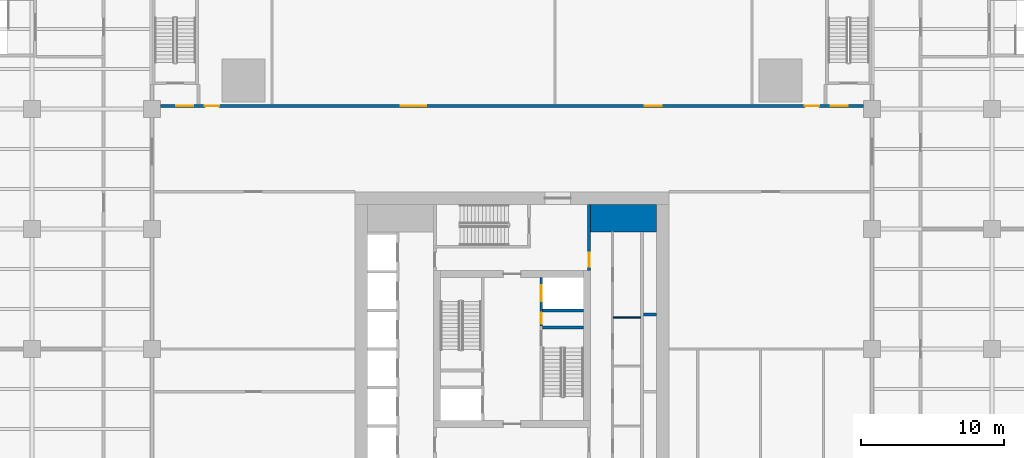
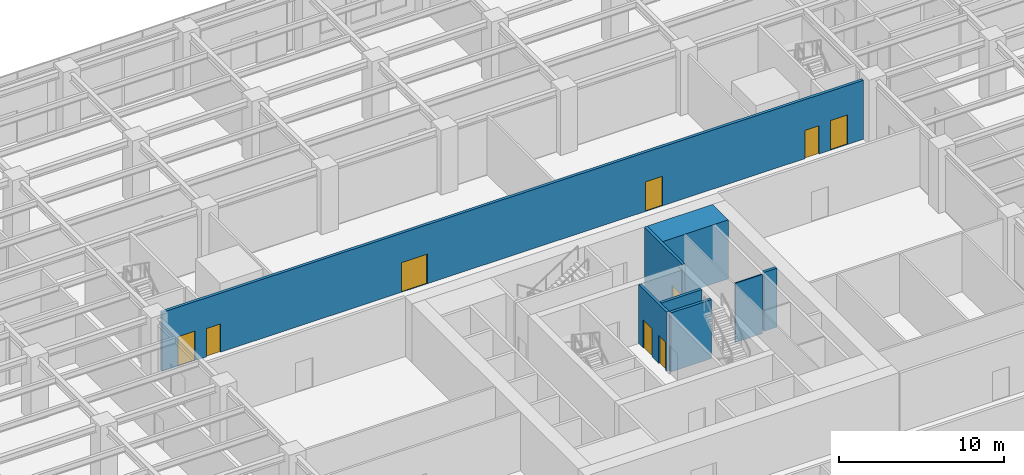
# One storey, part 40 of 53: 9 doors, 8 walls, 9 openings.
"""IFC4 building model written with IfcOpenShell, lengths in metres."""

from ifc_helpers import new_model, si_unit, direction, frame, frame_2d, origin, place, context, subcontext, project, spatial, rectangle, extrude, material, layer, layer_set, type_object, element, fill, save


model = new_model("IFC4")

# Units and contexts
model_context = context("Model", 3, precision=1e-05, world=origin(), true_north=direction((0.0, 1.0)))
body_context = subcontext(model_context, "Body", "Model", "MODEL_VIEW")
ifc_project = project(units=[si_unit("LENGTHUNIT", "METRE"), si_unit("AREAUNIT", "SQUARE_METRE"), si_unit("VOLUMEUNIT", "CUBIC_METRE"), si_unit("PLANEANGLEUNIT", "RADIAN"), si_unit("MASSUNIT", "GRAM", prefix="KILO")], contexts=[model_context])

# Site, building, storey
site_placement = place(None, origin())
site = spatial("IfcSite", under=ifc_project, at=site_placement, CompositionType="ELEMENT")
building_placement = place(site_placement, origin())
building = spatial("IfcBuilding", under=site, at=building_placement, Name="Khepri Terraces", CompositionType="ELEMENT")
storey_placement = place(building_placement, frame((0.0, 0.0, 7.199951171875)))
storey = spatial("IfcBuildingStorey", under=building, at=storey_placement, Name="L01", CompositionType="ELEMENT", Elevation=7.199951171875)

# Walls
ifc_material_1 = material(Name="Concrete C80/95", Category="concrete")
ifc_layer_1 = layer(ifc_material_1, 1.89990234375, Name="Concrete C80/95", Category="concrete")
ifc_layer_set_1 = layer_set([ifc_layer_1], Name="Concrete C80/95")
wall_type_1 = type_object("IfcWallType", Name="Core wall 1900 C80/95", PredefinedType="SHEAR", material=ifc_layer_set_1)
wall_1_placement = place(storey_placement, frame((5.5, 9.14990234375, 0.0), z_axis=(0.0, 0.0, 1.0), x_axis=(1.0, 0.0, 0.0)))
element("IfcWall", 1, at=wall_1_placement, inside=storey, type_object=wall_type_1, Name="Core wall PR04 L01", PredefinedType="SHEAR", context=body_context, shape_type="SweptSolid", body=[
    extrude(rectangle(XDim=4.60009765625, YDim=1.89990234375, at=frame_2d((2.300048828125, 0.0))), origin(), (0.0, 0.0, 1.0), 4.380126953125),
])
ifc_layer_2 = layer(ifc_material_1, 0.199951171875, Name="Concrete C80/95", Category="concrete")
ifc_layer_set_2 = layer_set([ifc_layer_2], Name="Concrete C80/95")
wall_type_2 = type_object("IfcWallType", Name="Core wall 200 C80/95", PredefinedType="SHEAR", material=ifc_layer_set_2)
wall_2_placement = place(storey_placement, frame((2.14990234375, 1.5, 0.0), z_axis=(0.0, 0.0, 1.0), x_axis=(1.0, 0.0, 0.0)))
element("IfcWall", 2, at=wall_2_placement, inside=storey, type_object=wall_type_2, Name="Core wall ST04 L01", PredefinedType="SHEAR", context=body_context, shape_type="SweptSolid", body=[
    extrude(rectangle(XDim=2.85009765625, YDim=0.199951171875, at=frame_2d((1.425048828125, 0.0))), origin(), (0.0, 0.0, 1.0), 4.380126953125),
])

# Wall, openings, doors
wall_3_placement = place(storey_placement, frame((2.050048828125, 1.60009765625, 0.0), z_axis=(0.0, 0.0, 1.0), x_axis=(0.0, 1.0, 0.0)))
wall_3 = element("IfcWall", 3, at=wall_3_placement, inside=storey, type_object=wall_type_2, Name="Core wall SH15 L01", PredefinedType="SHEAR", context=body_context, shape_type="SweptSolid", body=[
    extrude(rectangle(XDim=3.39990234375, YDim=0.199951171875, at=frame_2d((1.699951171875, 0.0))), origin(), (0.0, 0.0, 1.0), 4.380126953125),
])
opening_1_placement = place(wall_3_placement, frame((1.75, 0.0, 0.0)))
opening_1 = element("IfcOpeningElement", 4, at=opening_1_placement, cuts=wall_3, Name="Opening L01-C07", PredefinedType="OPENING", context=body_context, shape_type="SweptSolid", body=[
    extrude(rectangle(XDim=1.10009765625, YDim=2.10009765625, at=frame_2d((0.550048828125, 1.050048828125))), frame((0.0, 0.10986328125, 0.0), z_axis=(0.0, -1.0, 0.0), x_axis=(1.0, 0.0, 0.0)), (0.0, 0.0, 1.0), 0.219970703125),
])
opening_2_placement = place(wall_3_placement, frame((0.14990234375, 0.0, 0.0)))
opening_2 = element("IfcOpeningElement", 5, at=opening_2_placement, cuts=wall_3, Name="Opening L01-C11", PredefinedType="OPENING", context=body_context, shape_type="SweptSolid", body=[
    extrude(rectangle(XDim=0.800048828125, YDim=2.10009765625, at=frame_2d((0.39990234375, 1.050048828125))), frame((0.0, 0.10986328125, 0.0), z_axis=(0.0, -1.0, 0.0), x_axis=(1.0, 0.0, 0.0)), (0.0, 0.0, 1.0), 0.219970703125),
])
ifc_material_2 = material(Name="Stainless steel 304", Category="steel")
door_type_1 = type_object("IfcDoorType", Name="DR-CORE-FF-LANDING-1100", OperationType="NOTDEFINED", PredefinedType="DOOR", material=ifc_material_2)
door_1_placement = place(opening_1_placement, origin())
door_1 = element("IfcDoor", 6, at=door_1_placement, inside=storey, type_object=door_type_1, Name="Firefighting lift landing door L01-C07", OperationType="SLIDING_TO_LEFT", OverallHeight=2.10009765625, OverallWidth=1.10009765625, PredefinedType="DOOR", context=body_context, shape_type="SweptSolid", body=[
    extrude(rectangle(XDim=1.10009765625, YDim=2.10009765625, at=frame_2d((0.550048828125, 1.050048828125))), frame((0.0, 0.02490234375, 0.0), z_axis=(0.0, -1.0, 0.0), x_axis=(1.0, 0.0, 0.0)), (0.0, 0.0, 1.0), 0.050048828125),
])
fill(opening_1, door_1)
ifc_material_3 = material(Name="Painted steel", Category="steel")
door_type_2 = type_object("IfcDoorType", Name="DR-CORE-RISER-800", OperationType="NOTDEFINED", PredefinedType="DOOR", material=ifc_material_3)
door_2_placement = place(opening_2_placement, frame((0.800048828125, 0.0, 0.0), z_axis=(0.0, 0.0, 1.0), x_axis=(-1.0, 0.0, 0.0)))
door_2 = element("IfcDoor", 7, at=door_2_placement, inside=storey, type_object=door_type_2, Name="Riser door L01-C11", OperationType="SINGLE_SWING_RIGHT", OverallHeight=2.10009765625, OverallWidth=0.800048828125, PredefinedType="DOOR", context=body_context, shape_type="SweptSolid", body=[
    extrude(rectangle(XDim=0.800048828125, YDim=2.10009765625, at=frame_2d((0.39990234375, 1.050048828125))), frame((0.0, 0.02490234375, 0.0), z_axis=(0.0, -1.0, 0.0), x_axis=(1.0, 0.0, 0.0)), (0.0, 0.0, 1.0), 0.050048828125),
])
fill(opening_2, door_2)

# Walls
wall_4_placement = place(storey_placement, frame((9.199951171875, 2.39990234375, 0.0), z_axis=(0.0, 0.0, 1.0), x_axis=(1.0, 0.0, 0.0)))
element("IfcWall", 8, at=wall_4_placement, inside=storey, type_object=wall_type_2, Name="Core wall SH16 L01", PredefinedType="SHEAR", context=body_context, shape_type="SweptSolid", body=[
    extrude(rectangle(XDim=0.900146484375, YDim=0.199951171875, at=frame_2d((0.4501953125, 0.0))), origin(), (0.0, 0.0, 1.0), 4.380126953125),
])
wall_5_placement = place(storey_placement, frame((2.14990234375, 2.699951171875, 0.0), z_axis=(0.0, 0.0, 1.0), x_axis=(1.0, 0.0, 0.0)))
element("IfcWall", 9, at=wall_5_placement, inside=storey, type_object=wall_type_2, Name="Core wall SH18 L01", PredefinedType="SHEAR", context=body_context, shape_type="SweptSolid", body=[
    extrude(rectangle(XDim=2.85009765625, YDim=0.199951171875, at=frame_2d((1.425048828125, 0.0))), origin(), (0.0, 0.0, 1.0), 4.380126953125),
])
ifc_material_4 = material(Name="Fire-rated gypsum board partition")
ifc_layer_3 = layer(ifc_material_4, 0.10009765625, Name="Fire-rated gypsum board partition")
ifc_layer_set_3 = layer_set([ifc_layer_3], Name="Fire-rated gypsum board partition")
wall_type_3 = type_object("IfcWallType", Name="WL-CORE-PART-100", PredefinedType="PARTITIONING", material=ifc_layer_set_3)
wall_6_placement = place(storey_placement, frame((7.10009765625, 2.199951171875, 0.0), z_axis=(0.0, 0.0, 1.0), x_axis=(1.0, 0.0, 0.0)))
element("IfcWall", 10, at=wall_6_placement, inside=storey, type_object=wall_type_3, Name="Core partition PT06 L01", PredefinedType="PARTITIONING", context=body_context, shape_type="SweptSolid", body=[
    extrude(rectangle(XDim=1.89990234375, YDim=0.10009765625, at=frame_2d((0.949951171875, 0.0))), origin(), (0.0, 0.0, 1.0), 4.380126953125),
])

# Wall, opening, door
ifc_layer_4 = layer(ifc_material_4, 0.199951171875, Name="Fire-rated gypsum board partition")
ifc_layer_set_4 = layer_set([ifc_layer_4], Name="Fire-rated gypsum board partition")
wall_type_4 = type_object("IfcWallType", Name="WL-CORE-PART-200", PredefinedType="PARTITIONING", material=ifc_layer_set_4)
wall_7_placement = place(storey_placement, frame((5.39990234375, 5.5, 0.0), z_axis=(0.0, 0.0, 1.0), x_axis=(0.0, 1.0, 0.0)))
wall_7 = element("IfcWall", 11, at=wall_7_placement, inside=storey, type_object=wall_type_4, Name="Core partition PT08 L01", PredefinedType="PARTITIONING", context=body_context, shape_type="SweptSolid", body=[
    extrude(rectangle(XDim=4.60009765625, YDim=0.199951171875, at=frame_2d((2.300048828125, 0.0))), origin(), (0.0, 0.0, 1.0), 4.380126953125),
])
opening_3_placement = place(wall_7_placement, frame((0.25, 0.0, 0.0)))
opening_3 = element("IfcOpeningElement", 12, at=opening_3_placement, cuts=wall_7, Name="Opening L01-C17", PredefinedType="OPENING", context=body_context, shape_type="SweptSolid", body=[
    extrude(rectangle(XDim=1.0, YDim=2.10009765625, at=frame_2d((0.5, 1.050048828125))), frame((0.0, 0.10986328125, 0.0), z_axis=(0.0, -1.0, 0.0), x_axis=(1.0, 0.0, 0.0)), (0.0, 0.0, 1.0), 0.219970703125),
])
door_type_3 = type_object("IfcDoorType", Name="DR-CORE-LOBBY-1000", OperationType="NOTDEFINED", PredefinedType="DOOR", material=ifc_material_3)
door_3_placement = place(opening_3_placement, origin())
door_3 = element("IfcDoor", 13, at=door_3_placement, inside=storey, type_object=door_type_3, Name="Lobby door L01-C17", OperationType="SINGLE_SWING_LEFT", OverallHeight=2.10009765625, OverallWidth=1.0, PredefinedType="DOOR", context=body_context, shape_type="SweptSolid", body=[
    extrude(rectangle(XDim=1.0, YDim=2.10009765625, at=frame_2d((0.5, 1.050048828125))), frame((0.0, 0.02490234375, 0.0), z_axis=(0.0, -1.0, 0.0), x_axis=(1.0, 0.0, 0.0)), (0.0, 0.0, 1.0), 0.050048828125),
])
fill(opening_3, door_3)

# Wall, openings, doors
ifc_material_5 = material(Name="Fire-rated block wall")
ifc_layer_5 = layer(ifc_material_5, 0.199951171875, Name="Fire-rated block wall")
ifc_layer_set_5 = layer_set([ifc_layer_5], Name="Fire-rated block wall")
wall_type_5 = type_object("IfcWallType", Name="WL-POD-200-EI60", PredefinedType="PARTITIONING", material=ifc_layer_set_5)
wall_8_placement = place(storey_placement, frame((-24.60009765625, 17.0, 0.0), z_axis=(0.0, 0.0, 1.0), x_axis=(1.0, 0.0, 0.0)))
wall_8 = element("IfcWall", 14, at=wall_8_placement, inside=storey, type_object=wall_type_5, Name="Partition L01-PW027", PredefinedType="PARTITIONING", context=body_context, shape_type="SweptSolid", body=[
    extrude(rectangle(XDim=49.2001953125, YDim=0.199951171875, at=frame_2d((24.60009765625, 0.0))), origin(), (0.0, 0.0, 1.0), 4.380126953125),
])
opening_4_placement = place(wall_8_placement, frame((1.10009765625, 0.0, 0.0)))
opening_4 = element("IfcOpeningElement", 15, at=opening_4_placement, cuts=wall_8, Name="Opening L01-P32", PredefinedType="OPENING", context=body_context, shape_type="SweptSolid", body=[
    extrude(rectangle(XDim=1.199951171875, YDim=2.199951171875, at=frame_2d((0.60009765625, 1.10009765625))), frame((0.0, 0.10986328125, 0.0), z_axis=(0.0, -1.0, 0.0), x_axis=(1.0, 0.0, 0.0)), (0.0, 0.0, 1.0), 0.219970703125),
])
opening_5_placement = place(wall_8_placement, frame((3.10009765625, 0.0, 0.0)))
opening_5 = element("IfcOpeningElement", 16, at=opening_5_placement, cuts=wall_8, Name="Opening L01-P33", PredefinedType="OPENING", context=body_context, shape_type="SweptSolid", body=[
    extrude(rectangle(XDim=1.0, YDim=2.10009765625, at=frame_2d((0.5, 1.050048828125))), frame((0.0, 0.10986328125, 0.0), z_axis=(0.0, -1.0, 0.0), x_axis=(1.0, 0.0, 0.0)), (0.0, 0.0, 1.0), 0.219970703125),
])
opening_6_placement = place(wall_8_placement, frame((16.800048828125, 0.0, 0.0)))
opening_6 = element("IfcOpeningElement", 17, at=opening_6_placement, cuts=wall_8, Name="Opening L01-P34", PredefinedType="OPENING", context=body_context, shape_type="SweptSolid", body=[
    extrude(rectangle(XDim=1.800048828125, YDim=2.199951171875, at=frame_2d((0.89990234375, 1.10009765625))), frame((0.0, 0.10986328125, 0.0), z_axis=(0.0, -1.0, 0.0), x_axis=(1.0, 0.0, 0.0)), (0.0, 0.0, 1.0), 0.219970703125),
])
opening_7_placement = place(wall_8_placement, frame((33.89990234375, 0.0, 0.0)))
opening_7 = element("IfcOpeningElement", 18, at=opening_7_placement, cuts=wall_8, Name="Opening L01-P35", PredefinedType="OPENING", context=body_context, shape_type="SweptSolid", body=[
    extrude(rectangle(XDim=1.199951171875, YDim=2.199951171875, at=frame_2d((0.60009765625, 1.10009765625))), frame((0.0, 0.10986328125, 0.0), z_axis=(0.0, -1.0, 0.0), x_axis=(1.0, 0.0, 0.0)), (0.0, 0.0, 1.0), 0.219970703125),
])
opening_8_placement = place(wall_8_placement, frame((45.10009765625, 0.0, 0.0)))
opening_8 = element("IfcOpeningElement", 19, at=opening_8_placement, cuts=wall_8, Name="Opening L01-P36", PredefinedType="OPENING", context=body_context, shape_type="SweptSolid", body=[
    extrude(rectangle(XDim=1.0, YDim=2.10009765625, at=frame_2d((0.5, 1.050048828125))), frame((0.0, 0.10986328125, 0.0), z_axis=(0.0, -1.0, 0.0), x_axis=(1.0, 0.0, 0.0)), (0.0, 0.0, 1.0), 0.219970703125),
])
opening_9_placement = place(wall_8_placement, frame((46.89990234375, 0.0, 0.0)))
opening_9 = element("IfcOpeningElement", 20, at=opening_9_placement, cuts=wall_8, Name="Opening L01-P37", PredefinedType="OPENING", context=body_context, shape_type="SweptSolid", body=[
    extrude(rectangle(XDim=1.199951171875, YDim=2.199951171875, at=frame_2d((0.60009765625, 1.10009765625))), frame((0.0, 0.10986328125, 0.0), z_axis=(0.0, -1.0, 0.0), x_axis=(1.0, 0.0, 0.0)), (0.0, 0.0, 1.0), 0.219970703125),
])
door_type_4 = type_object("IfcDoorType", Name="DR-POD-FIRE-1200", OperationType="NOTDEFINED", PredefinedType="DOOR", material=ifc_material_3)
door_4_placement = place(opening_4_placement, origin())
door_4 = element("IfcDoor", 21, at=door_4_placement, inside=storey, type_object=door_type_4, Name="Fire door L01-P32", OperationType="SINGLE_SWING_RIGHT", OverallHeight=2.199951171875, OverallWidth=1.199951171875, PredefinedType="DOOR", context=body_context, shape_type="SweptSolid", body=[
    extrude(rectangle(XDim=1.199951171875, YDim=2.199951171875, at=frame_2d((0.60009765625, 1.10009765625))), frame((0.0, 0.02490234375, 0.0), z_axis=(0.0, -1.0, 0.0), x_axis=(1.0, 0.0, 0.0)), (0.0, 0.0, 1.0), 0.050048828125),
])
fill(opening_4, door_4)
door_5_placement = place(opening_9_placement, origin())
door_5 = element("IfcDoor", 22, at=door_5_placement, inside=storey, type_object=door_type_4, Name="Fire door L01-P37", OperationType="SINGLE_SWING_LEFT", OverallHeight=2.199951171875, OverallWidth=1.199951171875, PredefinedType="DOOR", context=body_context, shape_type="SweptSolid", body=[
    extrude(rectangle(XDim=1.199951171875, YDim=2.199951171875, at=frame_2d((0.60009765625, 1.10009765625))), frame((0.0, 0.02490234375, 0.0), z_axis=(0.0, -1.0, 0.0), x_axis=(1.0, 0.0, 0.0)), (0.0, 0.0, 1.0), 0.050048828125),
])
fill(opening_9, door_5)
ifc_material_6 = material(Name="Glazed aluminium", Category="aluminium")
door_type_5 = type_object("IfcDoorType", Name="DR-POD-PAIR-1800", OperationType="DOUBLE_DOOR_SINGLE_SWING", PredefinedType="DOOR", material=ifc_material_6)
door_6_placement = place(opening_6_placement, origin())
door_6 = element("IfcDoor", 23, at=door_6_placement, inside=storey, type_object=door_type_5, Name="Double door L01-P34", OperationType="DOUBLE_DOOR_SINGLE_SWING", OverallHeight=2.199951171875, OverallWidth=1.800048828125, PredefinedType="DOOR", context=body_context, shape_type="SweptSolid", body=[
    extrude(rectangle(XDim=1.800048828125, YDim=2.199951171875, at=frame_2d((0.89990234375, 1.10009765625))), frame((0.0, 0.02490234375, 0.0), z_axis=(0.0, -1.0, 0.0), x_axis=(1.0, 0.0, 0.0)), (0.0, 0.0, 1.0), 0.050048828125),
])
fill(opening_6, door_6)
ifc_material_7 = material(Name="Timber veneer", Category="wood")
door_type_6 = type_object("IfcDoorType", Name="DR-POD-SINGLE-1000", OperationType="NOTDEFINED", PredefinedType="DOOR", material=ifc_material_7)
door_7_placement = place(opening_5_placement, origin())
door_7 = element("IfcDoor", 24, at=door_7_placement, inside=storey, type_object=door_type_6, Name="Door L01-P33", OperationType="SINGLE_SWING_LEFT", OverallHeight=2.10009765625, OverallWidth=1.0, PredefinedType="DOOR", context=body_context, shape_type="SweptSolid", body=[
    extrude(rectangle(XDim=1.0, YDim=2.10009765625, at=frame_2d((0.5, 1.050048828125))), frame((0.0, 0.02490234375, 0.0), z_axis=(0.0, -1.0, 0.0), x_axis=(1.0, 0.0, 0.0)), (0.0, 0.0, 1.0), 0.050048828125),
])
fill(opening_5, door_7)
door_8_placement = place(opening_8_placement, origin())
door_8 = element("IfcDoor", 25, at=door_8_placement, inside=storey, type_object=door_type_6, Name="Door L01-P36", OperationType="SINGLE_SWING_RIGHT", OverallHeight=2.10009765625, OverallWidth=1.0, PredefinedType="DOOR", context=body_context, shape_type="SweptSolid", body=[
    extrude(rectangle(XDim=1.0, YDim=2.10009765625, at=frame_2d((0.5, 1.050048828125))), frame((0.0, 0.02490234375, 0.0), z_axis=(0.0, -1.0, 0.0), x_axis=(1.0, 0.0, 0.0)), (0.0, 0.0, 1.0), 0.050048828125),
])
fill(opening_8, door_8)
door_type_7 = type_object("IfcDoorType", Name="DR-POD-SINGLE-1200", OperationType="NOTDEFINED", PredefinedType="DOOR", material=ifc_material_7)
door_9_placement = place(opening_7_placement, origin())
door_9 = element("IfcDoor", 26, at=door_9_placement, inside=storey, type_object=door_type_7, Name="Door L01-P35", OperationType="SINGLE_SWING_RIGHT", OverallHeight=2.199951171875, OverallWidth=1.199951171875, PredefinedType="DOOR", context=body_context, shape_type="SweptSolid", body=[
    extrude(rectangle(XDim=1.199951171875, YDim=2.199951171875, at=frame_2d((0.60009765625, 1.10009765625))), frame((0.0, 0.02490234375, 0.0), z_axis=(0.0, -1.0, 0.0), x_axis=(1.0, 0.0, 0.0)), (0.0, 0.0, 1.0), 0.050048828125),
])
fill(opening_7, door_9)

save(model, "model.ifc")
